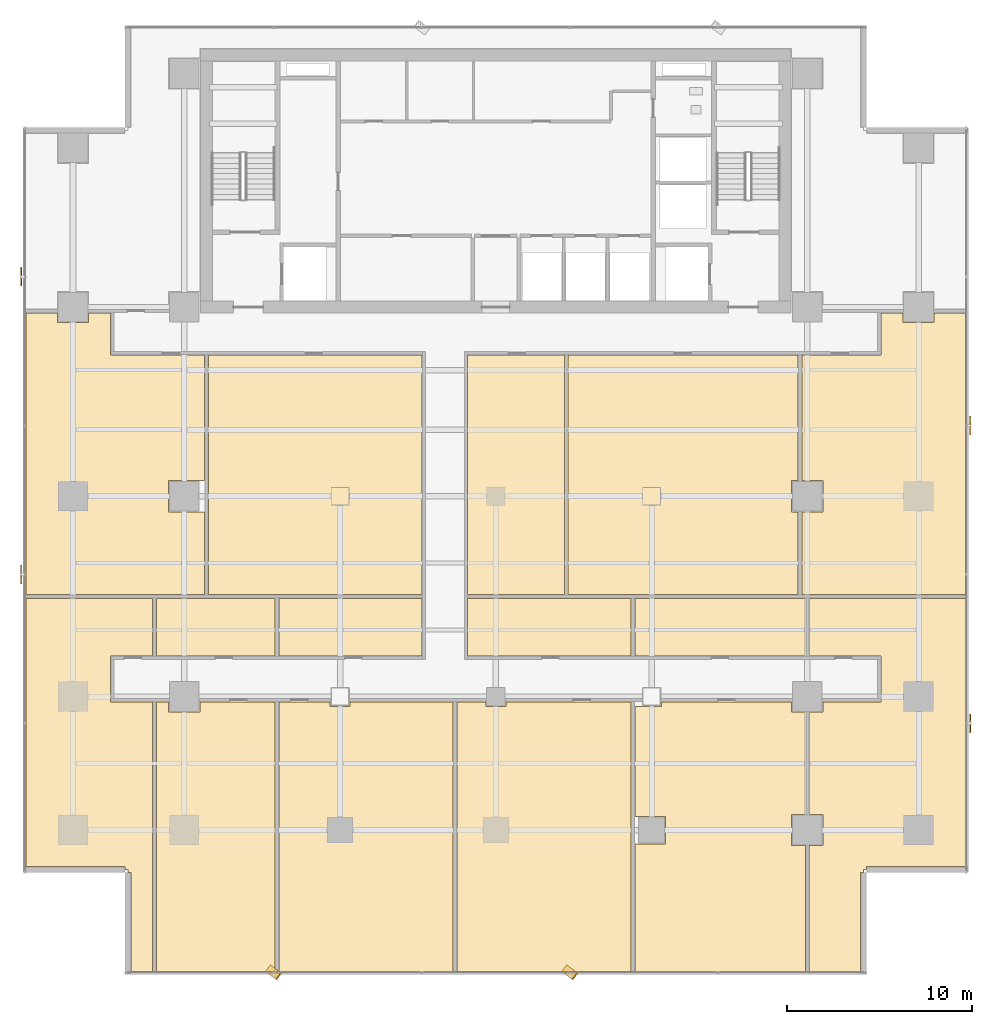
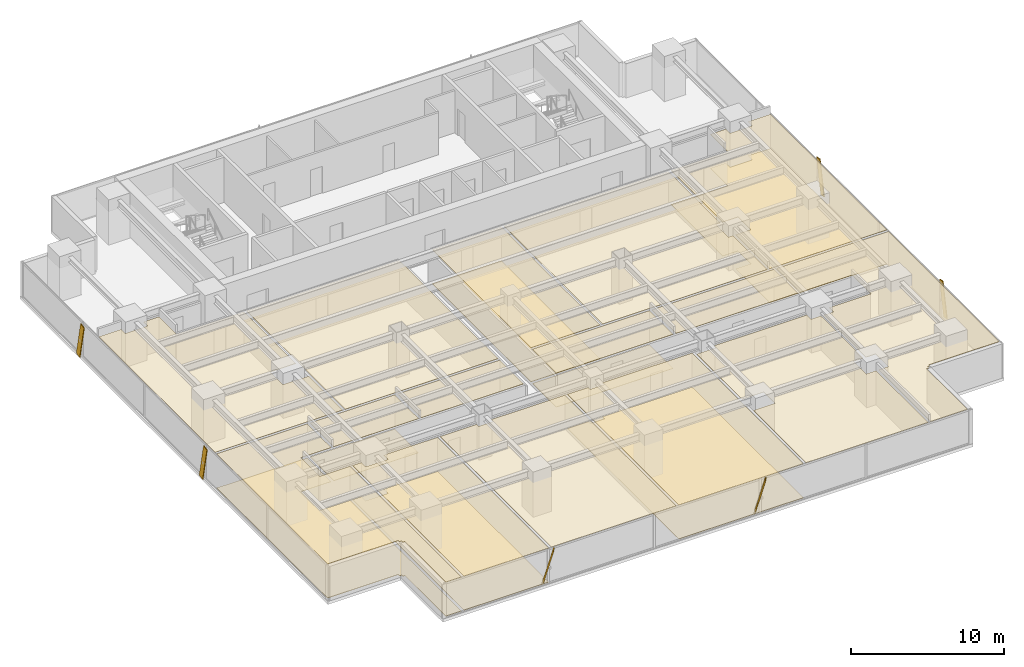
# One storey, part 30 of 34: 22 coverings, 6 shading devices.
"""IFC4 building model written with IfcOpenShell, lengths in metres."""

from ifc_helpers import new_model, si_unit, direction, frame, origin, origin_2d, place, context, subcontext, project, spatial, polyline, rectangle, outline, extrude, source, transform, mapped, material, layer, layer_set, material_profile, profile_set, type_object, element, save


model = new_model("IFC4")

# Units and contexts
model_context = context("Model", 3, precision=1e-05, world=origin(), true_north=direction((0.0, 1.0)))
body_context = subcontext(model_context, "Body", "Model", "MODEL_VIEW")
ifc_project = project(units=[si_unit("LENGTHUNIT", "METRE"), si_unit("AREAUNIT", "SQUARE_METRE"), si_unit("VOLUMEUNIT", "CUBIC_METRE"), si_unit("PLANEANGLEUNIT", "RADIAN"), si_unit("MASSUNIT", "GRAM", prefix="KILO")], contexts=[model_context])

# Site, building, storey
site_placement = place(None, origin())
site = spatial("IfcSite", under=ifc_project, at=site_placement, CompositionType="ELEMENT")
building_placement = place(site_placement, origin())
building = spatial("IfcBuilding", under=site, at=building_placement, Name="Sumidabori Civic Tower", CompositionType="ELEMENT")
storey_placement = place(building_placement, frame((0.0, 0.0, 106.39990234375)))
storey = spatial("IfcBuildingStorey", under=building, at=storey_placement, Name="L27", CompositionType="ELEMENT", Elevation=106.39990234375)

# Coverings
ifc_material_1 = material(Name="Acoustic Mineral Gypsum Ceiling Tile")
ifc_layer_1 = layer(ifc_material_1, 0.034912109375, Name="Acoustic Mineral Gypsum Ceiling Tile")
ifc_layer_set_1 = layer_set([ifc_layer_1], Name="Acoustic Mineral Gypsum Ceiling Tile")
covering_type_1 = type_object("IfcCoveringType", Name="CV-CEIL-AC1", PredefinedType="CEILING", material=ifc_layer_set_1)
covering_1_placement = place(storey_placement, frame((0.0, 0.0, 2.710205078125)))
element("IfcCovering", 1, at=covering_1_placement, inside=storey, type_object=covering_type_1, Name="Room Acoustic Ceiling L27-02", PredefinedType="CEILING", context=body_context, shape_type="SweptSolid", body=[
    extrude(outline(polyline([(-20.784912109375, 7.614990234375), (-15.702392578125, 7.614990234375), (-15.702392578125, 0.840087890625), (-17.639892578125, 0.840087890625), (-17.639892578125, -0.840087890625), (-15.702392578125, -0.840087890625), (-15.702392578125, -5.297607421875), (-25.330078125, -5.297607421875), (-25.330078125, 9.8974609375), (-23.639892578125, 9.8974609375), (-23.639892578125, 9.360107421875), (-21.9599609375, 9.360107421875), (-21.9599609375, 9.8974609375), (-20.784912109375, 9.8974609375), (-20.784912109375, 7.614990234375)])), origin(), (0.0, 0.0, 1.0), 0.034912109375),
])
covering_2_placement = place(storey_placement, frame((0.0, 0.0, 2.710205078125)))
element("IfcCovering", 2, at=covering_2_placement, inside=storey, type_object=covering_type_1, Name="Room Acoustic Ceiling L27-03", PredefinedType="CEILING", context=body_context, shape_type="SweptSolid", body=[
    extrude(outline(polyline([(16.50244140625, -0.840087890625), (17.639892578125, -0.840087890625), (17.639892578125, 0.840087890625), (16.50244140625, 0.840087890625), (16.50244140625, 7.614990234375), (20.784912109375, 7.614990234375), (20.784912109375, 9.8974609375), (21.9599609375, 9.8974609375), (21.9599609375, 9.360107421875), (23.639892578125, 9.360107421875), (23.639892578125, 9.8974609375), (25.330078125, 9.8974609375), (25.330078125, -5.297607421875), (16.50244140625, -5.297607421875), (16.50244140625, -0.840087890625)])), origin(), (0.0, 0.0, 1.0), 0.034912109375),
])
covering_3_placement = place(storey_placement, frame((0.0, 0.0, 2.710205078125)))
element("IfcCovering", 3, at=covering_3_placement, inside=storey, type_object=covering_type_1, Name="Room Acoustic Ceiling L27-04", PredefinedType="CEILING", context=body_context, shape_type="SweptSolid", body=[
    extrude(outline(polyline([(-15.49755859375, 7.614990234375), (-3.985107421875, 7.614990234375), (-3.985107421875, -5.297607421875), (-15.49755859375, -5.297607421875), (-15.49755859375, 7.614990234375)])), origin(), (0.0, 0.0, 1.0), 0.034912109375),
])
covering_4_placement = place(storey_placement, frame((0.0, 0.0, 2.710205078125)))
element("IfcCovering", 4, at=covering_4_placement, inside=storey, type_object=covering_type_1, Name="Room Acoustic Ceiling L27-05", PredefinedType="CEILING", context=body_context, shape_type="SweptSolid", body=[
    extrude(outline(polyline([(-1.514892578125, 7.614990234375), (3.697509765625, 7.614990234375), (3.697509765625, -5.297607421875), (-1.514892578125, -5.297607421875), (-1.514892578125, 7.614990234375)])), origin(), (0.0, 0.0, 1.0), 0.034912109375),
])
covering_5_placement = place(storey_placement, frame((0.0, 0.0, 2.710205078125)))
element("IfcCovering", 5, at=covering_5_placement, inside=storey, type_object=covering_type_1, Name="Room Acoustic Ceiling L27-06", PredefinedType="CEILING", context=body_context, shape_type="SweptSolid", body=[
    extrude(outline(polyline([(3.902587890625, 7.614990234375), (16.297607421875, 7.614990234375), (16.297607421875, 0.840087890625), (15.9599609375, 0.840087890625), (15.9599609375, -0.840087890625), (16.297607421875, -0.840087890625), (16.297607421875, -5.297607421875), (3.902587890625, -5.297607421875), (3.902587890625, 7.614990234375)])), origin(), (0.0, 0.0, 1.0), 0.034912109375),
])
covering_6_placement = place(storey_placement, frame((0.0, 0.0, 2.710205078125)))
element("IfcCovering", 6, at=covering_6_placement, inside=storey, type_object=covering_type_1, Name="Room Acoustic Ceiling L27-07", PredefinedType="CEILING", context=body_context, shape_type="SweptSolid", body=[
    extrude(outline(polyline([(-18.297607421875, -8.614990234375), (-18.297607421875, -5.50244140625), (-11.902587890625, -5.50244140625), (-11.902587890625, -8.614990234375), (-18.297607421875, -8.614990234375)])), origin(), (0.0, 0.0, 1.0), 0.034912109375),
])
covering_7_placement = place(storey_placement, frame((0.0, 0.0, 2.710205078125)))
element("IfcCovering", 7, at=covering_7_placement, inside=storey, type_object=covering_type_1, Name="Room Acoustic Ceiling L27-08", PredefinedType="CEILING", context=body_context, shape_type="SweptSolid", body=[
    extrude(outline(polyline([(-3.985107421875, -8.614990234375), (-11.697509765625, -8.614990234375), (-11.697509765625, -5.50244140625), (-3.985107421875, -5.50244140625), (-3.985107421875, -8.614990234375)])), origin(), (0.0, 0.0, 1.0), 0.034912109375),
])
covering_8_placement = place(storey_placement, frame((0.0, 0.0, 2.710205078125)))
element("IfcCovering", 8, at=covering_8_placement, inside=storey, type_object=covering_type_1, Name="Room Acoustic Ceiling L27-09", PredefinedType="CEILING", context=body_context, shape_type="SweptSolid", body=[
    extrude(outline(polyline([(-1.514892578125, -8.614990234375), (-1.514892578125, -5.50244140625), (7.297607421875, -5.50244140625), (7.297607421875, -8.614990234375), (-1.514892578125, -8.614990234375)])), origin(), (0.0, 0.0, 1.0), 0.034912109375),
])
covering_9_placement = place(storey_placement, frame((0.0, 0.0, 2.710205078125)))
element("IfcCovering", 9, at=covering_9_placement, inside=storey, type_object=covering_type_1, Name="Room Acoustic Ceiling L27-10", PredefinedType="CEILING", context=body_context, shape_type="SweptSolid", body=[
    extrude(outline(polyline([(7.50244140625, -8.614990234375), (7.50244140625, -5.50244140625), (16.697509765625, -5.50244140625), (16.697509765625, -8.614990234375), (7.50244140625, -8.614990234375)])), origin(), (0.0, 0.0, 1.0), 0.034912109375),
])
covering_10_placement = place(storey_placement, frame((0.0, 0.0, 2.710205078125)))
element("IfcCovering", 10, at=covering_10_placement, inside=storey, type_object=covering_type_1, Name="Room Acoustic Ceiling L27-11", PredefinedType="CEILING", context=body_context, shape_type="SweptSolid", body=[
    extrude(outline(polyline([(-25.330078125, -19.971923828125), (-25.330078125, -5.50244140625), (-18.50244140625, -5.50244140625), (-18.50244140625, -8.614990234375), (-20.784912109375, -8.614990234375), (-20.784912109375, -11.0849609375), (-18.50244140625, -11.0849609375), (-18.50244140625, -25.6298828125), (-19.672119140625, -25.6298828125), (-19.672119140625, -20.2919921875), (-19.830078125, -20.2919921875), (-19.830078125, -20.1298828125), (-19.991943359375, -20.1298828125), (-19.991943359375, -19.971923828125), (-25.330078125, -19.971923828125)])), origin(), (0.0, 0.0, 1.0), 0.034912109375),
])
covering_11_placement = place(storey_placement, frame((0.0, 0.0, 2.710205078125)))
element("IfcCovering", 11, at=covering_11_placement, inside=storey, type_object=covering_type_1, Name="Room Acoustic Ceiling L27-12", PredefinedType="CEILING", context=body_context, shape_type="SweptSolid", body=[
    extrude(outline(polyline([(16.902587890625, -18.840087890625), (17.639892578125, -18.840087890625), (17.639892578125, -17.159912109375), (16.902587890625, -17.159912109375), (16.902587890625, -11.639892578125), (17.639892578125, -11.639892578125), (17.639892578125, -11.0849609375), (20.784912109375, -11.0849609375), (20.784912109375, -8.614990234375), (16.902587890625, -8.614990234375), (16.902587890625, -5.50244140625), (25.330078125, -5.50244140625), (25.330078125, -19.971923828125), (19.991943359375, -19.971923828125), (19.991943359375, -20.1298828125), (19.830078125, -20.1298828125), (19.830078125, -20.2919921875), (19.672119140625, -20.2919921875), (19.672119140625, -25.6298828125), (16.902587890625, -25.6298828125), (16.902587890625, -18.840087890625)])), origin(), (0.0, 0.0, 1.0), 0.034912109375),
])
covering_12_placement = place(storey_placement, frame((0.0, 0.0, 2.710205078125)))
element("IfcCovering", 12, at=covering_12_placement, inside=storey, type_object=covering_type_1, Name="Room Acoustic Ceiling L27-13", PredefinedType="CEILING", context=body_context, shape_type="SweptSolid", body=[
    extrude(outline(polyline([(-18.297607421875, -11.0849609375), (-17.639892578125, -11.0849609375), (-17.639892578125, -11.639892578125), (-15.9599609375, -11.639892578125), (-15.9599609375, -11.0849609375), (-11.902587890625, -11.0849609375), (-11.902587890625, -25.6298828125), (-18.297607421875, -25.6298828125), (-18.297607421875, -11.0849609375)])), origin(), (0.0, 0.0, 1.0), 0.034912109375),
])
covering_13_placement = place(storey_placement, frame((0.0, 0.0, 2.710205078125)))
element("IfcCovering", 13, at=covering_13_placement, inside=storey, type_object=covering_type_1, Name="Room Acoustic Ceiling L27-14", PredefinedType="CEILING", context=body_context, shape_type="SweptSolid", body=[
    extrude(outline(polyline([(-11.697509765625, -11.0849609375), (-8.93994140625, -11.0849609375), (-8.93994140625, -11.340087890625), (-7.860107421875, -11.340087890625), (-7.860107421875, -11.0849609375), (-2.302490234375, -11.0849609375), (-2.302490234375, -25.6298828125), (-11.697509765625, -25.6298828125), (-11.697509765625, -11.0849609375)])), origin(), (0.0, 0.0, 1.0), 0.034912109375),
])
covering_14_placement = place(storey_placement, frame((0.0, 0.0, 2.710205078125)))
element("IfcCovering", 14, at=covering_14_placement, inside=storey, type_object=covering_type_1, Name="Room Acoustic Ceiling L27-15", PredefinedType="CEILING", context=body_context, shape_type="SweptSolid", body=[
    extrude(outline(polyline([(-2.097412109375, -11.0849609375), (-0.5400390625, -11.0849609375), (-0.5400390625, -11.340087890625), (0.5400390625, -11.340087890625), (0.5400390625, -11.0849609375), (7.297607421875, -11.0849609375), (7.297607421875, -25.6298828125), (-2.097412109375, -25.6298828125), (-2.097412109375, -11.0849609375)])), origin(), (0.0, 0.0, 1.0), 0.034912109375),
])
covering_15_placement = place(storey_placement, frame((0.0, 0.0, 2.710205078125)))
element("IfcCovering", 15, at=covering_15_placement, inside=storey, type_object=covering_type_1, Name="Room Acoustic Ceiling L27-16", PredefinedType="CEILING", context=body_context, shape_type="SweptSolid", body=[
    extrude(outline(polyline([(7.50244140625, -18.739990234375), (9.139892578125, -18.739990234375), (9.139892578125, -17.260009765625), (7.50244140625, -17.260009765625), (7.50244140625, -11.340087890625), (8.93994140625, -11.340087890625), (8.93994140625, -11.0849609375), (15.9599609375, -11.0849609375), (15.9599609375, -11.639892578125), (16.697509765625, -11.639892578125), (16.697509765625, -17.159912109375), (15.9599609375, -17.159912109375), (15.9599609375, -18.840087890625), (16.697509765625, -18.840087890625), (16.697509765625, -25.6298828125), (7.50244140625, -25.6298828125), (7.50244140625, -18.739990234375)])), origin(), (0.0, 0.0, 1.0), 0.034912109375),
])
ifc_material_2 = material(Name="Honed Terrazzo Tile Flooring")
ifc_layer_2 = layer(ifc_material_2, 0.030029296875, Name="Honed Terrazzo Tile Flooring")
ifc_layer_set_2 = layer_set([ifc_layer_2], Name="Honed Terrazzo Tile Flooring")
covering_type_2 = type_object("IfcCoveringType", Name="CV-FLR-TER", PredefinedType="FLOORING", material=ifc_layer_set_2)
covering_16_placement = place(storey_placement, origin())
element("IfcCovering", 16, at=covering_16_placement, inside=storey, type_object=covering_type_2, Name="Room Terrazzo Floor L27-03", PredefinedType="FLOORING", context=body_context, shape_type="SweptSolid", body=[
    extrude(outline(polyline([(16.50244140625, -0.840087890625), (17.639892578125, -0.840087890625), (17.639892578125, 0.840087890625), (16.50244140625, 0.840087890625), (16.50244140625, 7.614990234375), (20.784912109375, 7.614990234375), (20.784912109375, 9.8974609375), (21.9599609375, 9.8974609375), (21.9599609375, 9.360107421875), (23.639892578125, 9.360107421875), (23.639892578125, 9.8974609375), (25.330078125, 9.8974609375), (25.330078125, -5.297607421875), (16.50244140625, -5.297607421875), (16.50244140625, -0.840087890625)])), origin(), (0.0, 0.0, 1.0), 0.030029296875),
])
covering_17_placement = place(storey_placement, origin())
element("IfcCovering", 17, at=covering_17_placement, inside=storey, type_object=covering_type_2, Name="Room Terrazzo Floor L27-05", PredefinedType="FLOORING", context=body_context, shape_type="SweptSolid", body=[
    extrude(outline(polyline([(-1.514892578125, 7.614990234375), (3.697509765625, 7.614990234375), (3.697509765625, -5.297607421875), (-1.514892578125, -5.297607421875), (-1.514892578125, 7.614990234375)])), origin(), (0.0, 0.0, 1.0), 0.030029296875),
])
covering_18_placement = place(storey_placement, origin())
element("IfcCovering", 18, at=covering_18_placement, inside=storey, type_object=covering_type_2, Name="Room Terrazzo Floor L27-07", PredefinedType="FLOORING", context=body_context, shape_type="SweptSolid", body=[
    extrude(outline(polyline([(-18.297607421875, -8.614990234375), (-18.297607421875, -5.50244140625), (-11.902587890625, -5.50244140625), (-11.902587890625, -8.614990234375), (-18.297607421875, -8.614990234375)])), origin(), (0.0, 0.0, 1.0), 0.030029296875),
])
covering_19_placement = place(storey_placement, origin())
element("IfcCovering", 19, at=covering_19_placement, inside=storey, type_object=covering_type_2, Name="Room Terrazzo Floor L27-09", PredefinedType="FLOORING", context=body_context, shape_type="SweptSolid", body=[
    extrude(outline(polyline([(-1.514892578125, -8.614990234375), (-1.514892578125, -5.50244140625), (7.297607421875, -5.50244140625), (7.297607421875, -8.614990234375), (-1.514892578125, -8.614990234375)])), origin(), (0.0, 0.0, 1.0), 0.030029296875),
])
covering_20_placement = place(storey_placement, origin())
element("IfcCovering", 20, at=covering_20_placement, inside=storey, type_object=covering_type_2, Name="Room Terrazzo Floor L27-11", PredefinedType="FLOORING", context=body_context, shape_type="SweptSolid", body=[
    extrude(outline(polyline([(-25.330078125, -19.971923828125), (-25.330078125, -5.50244140625), (-18.50244140625, -5.50244140625), (-18.50244140625, -8.614990234375), (-20.784912109375, -8.614990234375), (-20.784912109375, -11.0849609375), (-18.50244140625, -11.0849609375), (-18.50244140625, -25.6298828125), (-19.672119140625, -25.6298828125), (-19.672119140625, -20.2919921875), (-19.830078125, -20.2919921875), (-19.830078125, -20.1298828125), (-19.991943359375, -20.1298828125), (-19.991943359375, -19.971923828125), (-25.330078125, -19.971923828125)])), origin(), (0.0, 0.0, 1.0), 0.030029296875),
])
covering_21_placement = place(storey_placement, origin())
element("IfcCovering", 21, at=covering_21_placement, inside=storey, type_object=covering_type_2, Name="Room Terrazzo Floor L27-13", PredefinedType="FLOORING", context=body_context, shape_type="SweptSolid", body=[
    extrude(outline(polyline([(-18.297607421875, -11.0849609375), (-17.639892578125, -11.0849609375), (-17.639892578125, -11.639892578125), (-15.9599609375, -11.639892578125), (-15.9599609375, -11.0849609375), (-11.902587890625, -11.0849609375), (-11.902587890625, -25.6298828125), (-18.297607421875, -25.6298828125), (-18.297607421875, -11.0849609375)])), origin(), (0.0, 0.0, 1.0), 0.030029296875),
])
covering_22_placement = place(storey_placement, origin())
element("IfcCovering", 22, at=covering_22_placement, inside=storey, type_object=covering_type_2, Name="Room Terrazzo Floor L27-15", PredefinedType="FLOORING", context=body_context, shape_type="SweptSolid", body=[
    extrude(outline(polyline([(-2.097412109375, -11.0849609375), (-0.5400390625, -11.0849609375), (-0.5400390625, -11.340087890625), (0.5400390625, -11.340087890625), (0.5400390625, -11.0849609375), (7.297607421875, -11.0849609375), (7.297607421875, -25.6298828125), (-2.097412109375, -25.6298828125), (-2.097412109375, -11.0849609375)])), origin(), (0.0, 0.0, 1.0), 0.030029296875),
])

# Shading devices
ifc_material_3 = material(Name="Anodised Bronze Aluminium AW-6063-T6", Category="aluminium")
ifc_material_profile = material_profile(ifc_material_3, rectangle(XDim=0.06005859375, YDim=0.449951171875, at=origin_2d()), Name="BRONZE FIN 450x60")
ifc_profile_set = profile_set([ifc_material_profile], Name="Anodised Bronze Aluminium AW-6063-T6")
shading_device_type = type_object("IfcShadingDeviceType", Name="SH-FIN-450", PredefinedType="USERDEFINED", material=ifc_profile_set)
shared_shape_1 = source(origin(), body_context, "Body", "SweptSolid", [
    extrude(rectangle(XDim=0.06005859375, YDim=0.449951171875, at=origin_2d()), origin(), (0.0, 0.0, 1.0), 2.77001953125),
])
for number, where, z_axis, x_axis, name in (
    (23, (-12.261962890625, -25.469970703125, 0.02001953125), (0.202181391677, -0.151591976323, 0.967544602369), (0.774116663029, -0.580418770885, -0.252700301595), "Bronze Anodised Diagonal Fin L27-01"),
    (24, (3.714111328125, -25.469970703125, 0.02001953125), (0.202096857265, -0.151594677059, 0.967561839972), (0.774008963737, -0.580591111046, -0.252634292662), "Bronze Anodised Diagonal Fin L27-03"),
):
    element("IfcShadingDevice", number, at=place(storey_placement, frame(where, z_axis=z_axis, x_axis=x_axis)), inside=storey, type_object=shading_device_type, Name=name, ObjectType="FIN", PredefinedType="USERDEFINED", context=body_context, shape_type="MappedRepresentation", body=[
        mapped(shared_shape_1, transform((0.0, 0.0, 0.0), x_axis=(1.0, 0.0, 0.0), y_axis=(0.0, 1.0, 0.0), z_axis=(0.0, 0.0, 1.0), scale=1.0)),
    ])
shared_shape_2 = source(origin(), body_context, "Body", "SweptSolid", [
    extrude(rectangle(XDim=0.06005859375, YDim=0.449951171875, at=origin_2d()), origin(), (0.0, 0.0, 1.0), 2.738037109375),
])
for number, where, z_axis, x_axis, name in (
    (25, (25.590087890625, -12.52197265625, 0.02001953125), (0.0, 0.204545289674, 0.97885710115), (-1.0, 0.0, 0.0), "Bronze Anodised Diagonal Fin L27-01"),
    (26, (25.590087890625, 3.533935546875, 0.02001953125), (0.0, 0.204545289674, 0.97885710115), (-1.0, 0.0, 0.0), "Bronze Anodised Diagonal Fin L27-03"),
    (27, (-25.590087890625, 12.1220703125, 0.02001953125), (0.0, -0.204545289674, 0.97885710115), (-1.0, 0.0, 0.0), "Bronze Anodised Diagonal Fin L27-01"),
    (28, (-25.590087890625, -3.93408203125, 0.02001953125), (0.0, -0.204459852566, 0.978874950486), (-1.0, 0.0, 0.0), "Bronze Anodised Diagonal Fin L27-03"),
):
    element("IfcShadingDevice", number, at=place(storey_placement, frame(where, z_axis=z_axis, x_axis=x_axis)), inside=storey, type_object=shading_device_type, Name=name, ObjectType="FIN", PredefinedType="USERDEFINED", context=body_context, shape_type="MappedRepresentation", body=[
        mapped(shared_shape_2, transform((0.0, 0.0, 0.0), x_axis=(1.0, 0.0, 0.0), y_axis=(0.0, 1.0, 0.0), z_axis=(0.0, 0.0, 1.0), scale=1.0)),
    ])

save(model, "model.ifc")
